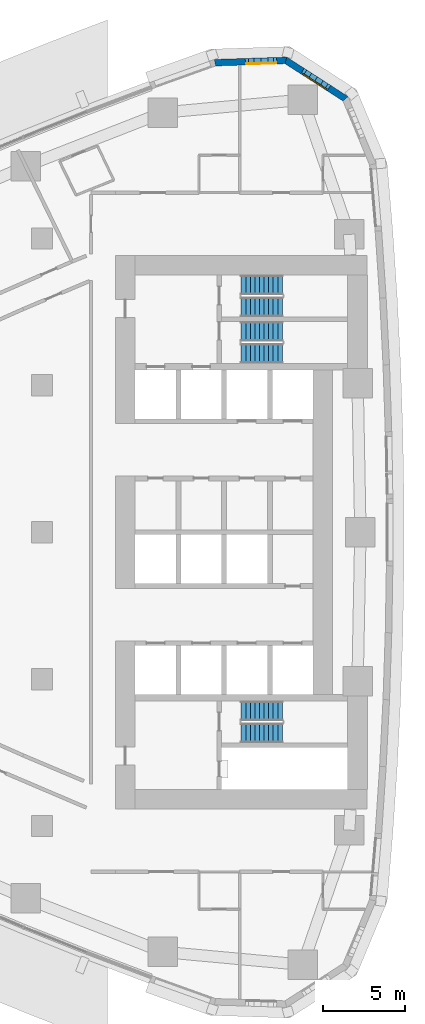
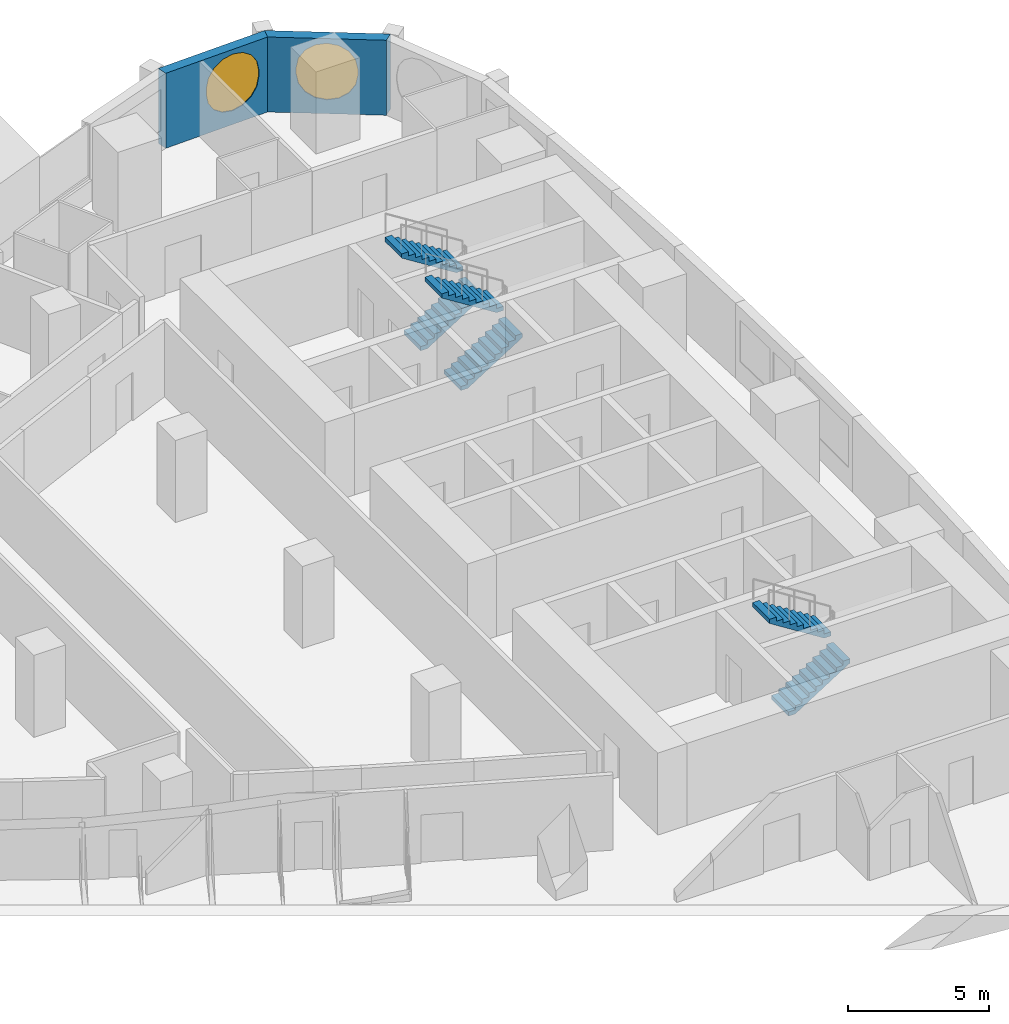
# One storey, part 14 of 19: 6 stair flights, 2 walls, 2 windows, 2 openings, 3 elements without a shape of their own.
"""IFC4 building model written with IfcOpenShell, lengths in metres."""

from ifc_helpers import new_model, si_unit, direction, frame, origin, place, context, subcontext, project, spatial, polyline, outline, extrude, material, layer, layer_set, type_object, element, fill, aggregate, save


model = new_model("IFC4")

# Units and contexts
model_context = context("Model", 3, precision=1e-05, world=origin(), true_north=direction((0.0, 1.0)))
body_context = subcontext(model_context, "Body", "Model", "MODEL_VIEW")
ifc_project = project(units=[si_unit("LENGTHUNIT", "METRE"), si_unit("AREAUNIT", "SQUARE_METRE"), si_unit("VOLUMEUNIT", "CUBIC_METRE"), si_unit("PLANEANGLEUNIT", "RADIAN"), si_unit("MASSUNIT", "GRAM", prefix="KILO")], contexts=[model_context])

# Site, building, storey
site_placement = place(None, origin())
site = spatial("IfcSite", under=ifc_project, at=site_placement, CompositionType="ELEMENT")
building_placement = place(site_placement, origin())
building = spatial("IfcBuilding", under=site, at=building_placement, Name="Ostrand Prow Hotel Tower", CompositionType="ELEMENT")
storey_placement = place(building_placement, frame((0.0, 0.0, 43.14990234375)))
storey = spatial("IfcBuildingStorey", under=building, at=storey_placement, Name="L08", CompositionType="ELEMENT", Elevation=43.14990234375)

# Wall, opening, window
ifc_material_1 = material(Name="Precast concrete C40/50", Category="concrete")
ifc_layer = layer(ifc_material_1, 0.39990234375)
ifc_layer_set = layer_set([ifc_layer], Name="Precast concrete C40/50")
wall_type = type_object("IfcWallType", Name="Stone-faced precast wall 400 mm", PredefinedType="NOTDEFINED", material=ifc_layer_set)
wall_1_placement = place(storey_placement, frame((63.58837890625, 26.55810546875, 0.0), z_axis=(0.0, 0.0, 1.0), x_axis=(-0.840937468718, 0.541132307025, 0.0)))
wall_1 = element("IfcWall", 1, at=wall_1_placement, inside=storey, type_object=wall_type, Name="Stone-faced wall back 17", PredefinedType="NOTDEFINED", context=body_context, shape_type="SweptSolid", body=[
    extrude(outline(polyline([(-0.0625, -0.199951171875), (4.40869140625, -0.199951171875), (4.28369140625, 0.199951171875), (0.0625, 0.199951171875), (-0.0625, -0.199951171875)])), origin(), (0.0, 0.0, 1.0), 3.25),
])
opening_1_placement = place(wall_1_placement, frame((1.072998046875, 0.0, 0.60009765625)))
opening_1 = element("IfcOpeningElement", 2, at=opening_1_placement, cuts=wall_1, Name="Opening WP1", PredefinedType="OPENING", context=body_context, shape_type="SweptSolid", body=[
    extrude(outline(polyline([(0.0, 1.35009765625), (0.083740234375, 1.77099609375), (0.322265625, 2.127685546875), (0.678955078125, 2.3662109375), (1.10009765625, 2.449951171875), (1.52099609375, 2.3662109375), (1.877685546875, 2.127685546875), (2.1162109375, 1.77099609375), (2.199951171875, 1.35009765625), (2.199951171875, 1.10009765625), (2.1162109375, 0.678955078125), (1.877685546875, 0.322265625), (1.52099609375, 0.083740234375), (1.10009765625, 0.0), (0.678955078125, 0.083740234375), (0.322265625, 0.322265625), (0.083740234375, 0.678955078125), (0.0, 1.099853515625), (0.0, 1.35009765625)])), frame((0.0, 0.2099609375, 0.0), z_axis=(0.0, -1.0, 0.0), x_axis=(1.0, 0.0, 0.0)), (0.0, 0.0, 1.0), 0.419921875),
])
ifc_material_2 = material(Name="Insulated glass in bronze frame", Category="glass")
window_type = type_object("IfcWindowType", Name="Round-ended prow window 2200x2450", PartitioningType="SINGLE_PANEL", PredefinedType="WINDOW", material=ifc_material_2)
window_1_placement = place(opening_1_placement, origin())
window_1 = element("IfcWindow", 3, at=window_1_placement, inside=storey, type_object=window_type, Name="Window back 17.1", OverallHeight=2.449951171875, OverallWidth=2.199951171875, PartitioningType="SINGLE_PANEL", PredefinedType="WINDOW", context=body_context, shape_type="SweptSolid", body=[
    extrude(outline(polyline([(0.0, 1.35009765625), (0.083740234375, 1.77099609375), (0.322265625, 2.127685546875), (0.678955078125, 2.3662109375), (1.10009765625, 2.449951171875), (1.52099609375, 2.3662109375), (1.877685546875, 2.127685546875), (2.1162109375, 1.77099609375), (2.199951171875, 1.35009765625), (2.199951171875, 1.10009765625), (2.1162109375, 0.678955078125), (1.877685546875, 0.322265625), (1.52099609375, 0.083740234375), (1.10009765625, 0.0), (0.678955078125, 0.083740234375), (0.322265625, 0.322265625), (0.083740234375, 0.678955078125), (0.0, 1.099853515625), (0.0, 1.35009765625)])), frame((0.0, 0.169921875, 0.0), z_axis=(0.0, -1.0, 0.0), x_axis=(1.0, 0.0, 0.0)), (0.0, 0.0, 1.0), 0.06005859375),
])
fill(opening_1, window_1)

wall_2_placement = place(storey_placement, frame((59.93359375, 28.909912109375, 0.0), z_axis=(0.0, 0.0, 1.0), x_axis=(-0.999463576228, -0.032749958686, 0.0)))
wall_2 = element("IfcWall", 4, at=wall_2_placement, inside=storey, type_object=wall_type, Name="Stone-faced wall back 18", PredefinedType="NOTDEFINED", context=body_context, shape_type="SweptSolid", body=[
    extrude(outline(polyline([(-0.0625, -0.199951171875), (4.377685546875, -0.199951171875), (4.314697265625, 0.199951171875), (0.0625, 0.199951171875), (-0.0625, -0.199951171875)])), origin(), (0.0, 0.0, 1.0), 3.25),
])
opening_2_placement = place(wall_2_placement, frame((0.421875, 0.0, 0.60009765625)))
opening_2 = element("IfcOpeningElement", 5, at=opening_2_placement, cuts=wall_2, Name="Opening WP1", PredefinedType="OPENING", context=body_context, shape_type="SweptSolid", body=[
    extrude(outline(polyline([(0.0, 1.35009765625), (0.083740234375, 1.77099609375), (0.322265625, 2.127685546875), (0.678955078125, 2.3662109375), (1.10009765625, 2.449951171875), (1.52099609375, 2.3662109375), (1.877685546875, 2.127685546875), (2.1162109375, 1.77099609375), (2.199951171875, 1.35009765625), (2.199951171875, 1.10009765625), (2.1162109375, 0.678955078125), (1.877685546875, 0.322265625), (1.52099609375, 0.083740234375), (1.10009765625, 0.0), (0.678955078125, 0.083740234375), (0.322265625, 0.322265625), (0.083740234375, 0.678955078125), (0.0, 1.099853515625), (0.0, 1.35009765625)])), frame((0.0, 0.2099609375, 0.0), z_axis=(0.0, -1.0, 0.0), x_axis=(1.0, 0.0, 0.0)), (0.0, 0.0, 1.0), 0.419921875),
])
window_2_placement = place(opening_2_placement, origin())
window_2 = element("IfcWindow", 6, at=window_2_placement, inside=storey, type_object=window_type, Name="Window back 18.1", OverallHeight=2.449951171875, OverallWidth=2.199951171875, PartitioningType="SINGLE_PANEL", PredefinedType="WINDOW", context=body_context, shape_type="SweptSolid", body=[
    extrude(outline(polyline([(0.0, 1.35009765625), (0.083740234375, 1.77099609375), (0.322265625, 2.127685546875), (0.678955078125, 2.3662109375), (1.10009765625, 2.449951171875), (1.52099609375, 2.3662109375), (1.877685546875, 2.127685546875), (2.1162109375, 1.77099609375), (2.199951171875, 1.35009765625), (2.199951171875, 1.10009765625), (2.1162109375, 0.678955078125), (1.877685546875, 0.322265625), (1.52099609375, 0.083740234375), (1.10009765625, 0.0), (0.678955078125, 0.083740234375), (0.322265625, 0.322265625), (0.083740234375, 0.678955078125), (0.0, 1.099853515625), (0.0, 1.35009765625)])), frame((0.0, 0.169921875, 0.0), z_axis=(0.0, -1.0, 0.0), x_axis=(1.0, 0.0, 0.0)), (0.0, 0.0, 1.0), 0.06005859375),
])
fill(opening_2, window_2)

# Stair, stair flights
ifc_material_3 = material(Name="Concrete C40/50", Category="concrete")
stair_type = type_object("IfcStairType", Name="Exit stair 1200 upper zone", PredefinedType="HALF_TURN_STAIR", material=ifc_material_3)
stair_1_placement = place(storey_placement, origin())
stair_1 = element("IfcStair", 7, at=stair_1_placement, inside=storey, type_object=stair_type, Name="L08 ST1C", PredefinedType="HALF_TURN_STAIR")
ifc_material_4 = material(Name="Concrete C40/50", Category="concrete")
stair_flight_type = type_object("IfcStairFlightType", Name="Stair flight 1200 concrete", PredefinedType="STRAIGHT", material=ifc_material_4)
stair_flight_1_placement = place(storey_placement, frame((57.199951171875, 10.949951171875, 0.0), z_axis=(0.0, 0.0, 1.0), x_axis=(1.0, 0.0, 0.0)))
stair_flight_1 = element("IfcStairFlight", 8, at=stair_flight_1_placement, type_object=stair_flight_type, Name="ST1C flight 1", NumberOfRisers=10, NumberOfTreads=9, PredefinedType="STRAIGHT", RiserHeight=0.1775, TreadLength=0.28, context=body_context, shape_type="SweptSolid", body=[
    extrude(outline(polyline([(0.0, 0.0), (0.0, 0.177490234375), (0.280029296875, 0.177490234375), (0.280029296875, 0.35498046875), (0.56005859375, 0.35498046875), (0.56005859375, 0.532470703125), (0.840087890625, 0.532470703125), (0.840087890625, 0.7099609375), (1.1201171875, 0.7099609375), (1.1201171875, 0.887451171875), (1.39990234375, 0.887451171875), (1.39990234375, 1.06494140625), (1.679931640625, 1.06494140625), (1.679931640625, 1.242431640625), (1.9599609375, 1.242431640625), (1.9599609375, 1.419921875), (2.239990234375, 1.419921875), (2.239990234375, 1.597412109375), (2.52001953125, 1.597412109375), (2.52001953125, 1.77490234375), (2.52001953125, 1.419921875), (0.280029296875, 0.0), (0.0, 0.0)])), frame((0.0, 0.60009765625, 0.0), z_axis=(0.0, -1.0, 0.0), x_axis=(1.0, 0.0, 0.0)), (0.0, 0.0, 1.0), 1.199951171875),
])
stair_flight_2_placement = place(storey_placement, frame((59.719970703125, 12.300048828125, 1.775146484375), z_axis=(0.0, 0.0, 1.0), x_axis=(-1.0, 0.0, 0.0)))
stair_flight_2 = element("IfcStairFlight", 9, at=stair_flight_2_placement, type_object=stair_flight_type, Name="ST1C flight 2", NumberOfRisers=10, NumberOfTreads=9, PredefinedType="STRAIGHT", RiserHeight=0.1775, TreadLength=0.28, context=body_context, shape_type="SweptSolid", body=[
    extrude(outline(polyline([(0.0, 0.0), (0.0, 0.177490234375), (0.280029296875, 0.177490234375), (0.280029296875, 0.35498046875), (0.56005859375, 0.35498046875), (0.56005859375, 0.532470703125), (0.840087890625, 0.532470703125), (0.840087890625, 0.7099609375), (1.1201171875, 0.7099609375), (1.1201171875, 0.887451171875), (1.39990234375, 0.887451171875), (1.39990234375, 1.06494140625), (1.679931640625, 1.06494140625), (1.679931640625, 1.242431640625), (1.9599609375, 1.242431640625), (1.9599609375, 1.419921875), (2.239990234375, 1.419921875), (2.239990234375, 1.597412109375), (2.52001953125, 1.597412109375), (2.52001953125, 1.77490234375), (2.52001953125, 1.419921875), (0.280029296875, 0.0), (0.0, 0.0)])), frame((0.0, 0.60009765625, 0.0), z_axis=(0.0, -1.0, 0.0), x_axis=(1.0, 0.0, 0.0)), (0.0, 0.0, 1.0), 1.199951171875),
])
aggregate(stair_1, [stair_flight_1, stair_flight_2])

stair_2_placement = place(storey_placement, origin())
stair_2 = element("IfcStair", 10, at=stair_2_placement, inside=storey, type_object=stair_type, Name="L08 ST3C", PredefinedType="HALF_TURN_STAIR")
stair_flight_3_placement = place(storey_placement, frame((57.199951171875, 13.800048828125, 0.0), z_axis=(0.0, 0.0, 1.0), x_axis=(1.0, 0.0, 0.0)))
stair_flight_3 = element("IfcStairFlight", 11, at=stair_flight_3_placement, type_object=stair_flight_type, Name="ST3C flight 1", NumberOfRisers=10, NumberOfTreads=9, PredefinedType="STRAIGHT", RiserHeight=0.1775, TreadLength=0.28, context=body_context, shape_type="SweptSolid", body=[
    extrude(outline(polyline([(0.0, 0.0), (0.0, 0.177490234375), (0.280029296875, 0.177490234375), (0.280029296875, 0.35498046875), (0.56005859375, 0.35498046875), (0.56005859375, 0.532470703125), (0.840087890625, 0.532470703125), (0.840087890625, 0.7099609375), (1.1201171875, 0.7099609375), (1.1201171875, 0.887451171875), (1.39990234375, 0.887451171875), (1.39990234375, 1.06494140625), (1.679931640625, 1.06494140625), (1.679931640625, 1.242431640625), (1.9599609375, 1.242431640625), (1.9599609375, 1.419921875), (2.239990234375, 1.419921875), (2.239990234375, 1.597412109375), (2.52001953125, 1.597412109375), (2.52001953125, 1.77490234375), (2.52001953125, 1.419921875), (0.280029296875, 0.0), (0.0, 0.0)])), frame((0.0, 0.60009765625, 0.0), z_axis=(0.0, -1.0, 0.0), x_axis=(1.0, 0.0, 0.0)), (0.0, 0.0, 1.0), 1.199951171875),
])
stair_flight_4_placement = place(storey_placement, frame((59.719970703125, 15.14990234375, 1.775146484375), z_axis=(0.0, 0.0, 1.0), x_axis=(-1.0, 0.0, 0.0)))
stair_flight_4 = element("IfcStairFlight", 12, at=stair_flight_4_placement, type_object=stair_flight_type, Name="ST3C flight 2", NumberOfRisers=10, NumberOfTreads=9, PredefinedType="STRAIGHT", RiserHeight=0.1775, TreadLength=0.28, context=body_context, shape_type="SweptSolid", body=[
    extrude(outline(polyline([(0.0, 0.0), (0.0, 0.177490234375), (0.280029296875, 0.177490234375), (0.280029296875, 0.35498046875), (0.56005859375, 0.35498046875), (0.56005859375, 0.532470703125), (0.840087890625, 0.532470703125), (0.840087890625, 0.7099609375), (1.1201171875, 0.7099609375), (1.1201171875, 0.887451171875), (1.39990234375, 0.887451171875), (1.39990234375, 1.06494140625), (1.679931640625, 1.06494140625), (1.679931640625, 1.242431640625), (1.9599609375, 1.242431640625), (1.9599609375, 1.419921875), (2.239990234375, 1.419921875), (2.239990234375, 1.597412109375), (2.52001953125, 1.597412109375), (2.52001953125, 1.77490234375), (2.52001953125, 1.419921875), (0.280029296875, 0.0), (0.0, 0.0)])), frame((0.0, 0.60009765625, 0.0), z_axis=(0.0, -1.0, 0.0), x_axis=(1.0, 0.0, 0.0)), (0.0, 0.0, 1.0), 1.199951171875),
])
aggregate(stair_2, [stair_flight_3, stair_flight_4])

stair_3_placement = place(storey_placement, origin())
stair_3 = element("IfcStair", 13, at=stair_3_placement, inside=storey, type_object=stair_type, Name="L08 ST2C", PredefinedType="HALF_TURN_STAIR")
stair_flight_5_placement = place(storey_placement, frame((57.199951171875, -12.300048828125, 0.0), z_axis=(0.0, 0.0, 1.0), x_axis=(1.0, 0.0, 0.0)))
stair_flight_5 = element("IfcStairFlight", 14, at=stair_flight_5_placement, type_object=stair_flight_type, Name="ST2C flight 1", NumberOfRisers=10, NumberOfTreads=9, PredefinedType="STRAIGHT", RiserHeight=0.1775, TreadLength=0.28, context=body_context, shape_type="SweptSolid", body=[
    extrude(outline(polyline([(0.0, 0.0), (0.0, 0.177490234375), (0.280029296875, 0.177490234375), (0.280029296875, 0.35498046875), (0.56005859375, 0.35498046875), (0.56005859375, 0.532470703125), (0.840087890625, 0.532470703125), (0.840087890625, 0.7099609375), (1.1201171875, 0.7099609375), (1.1201171875, 0.887451171875), (1.39990234375, 0.887451171875), (1.39990234375, 1.06494140625), (1.679931640625, 1.06494140625), (1.679931640625, 1.242431640625), (1.9599609375, 1.242431640625), (1.9599609375, 1.419921875), (2.239990234375, 1.419921875), (2.239990234375, 1.597412109375), (2.52001953125, 1.597412109375), (2.52001953125, 1.77490234375), (2.52001953125, 1.419921875), (0.280029296875, 0.0), (0.0, 0.0)])), frame((0.0, 0.60009765625, 0.0), z_axis=(0.0, -1.0, 0.0), x_axis=(1.0, 0.0, 0.0)), (0.0, 0.0, 1.0), 1.199951171875),
])
stair_flight_6_placement = place(storey_placement, frame((59.719970703125, -10.949951171875, 1.775146484375), z_axis=(0.0, 0.0, 1.0), x_axis=(-1.0, 0.0, 0.0)))
stair_flight_6 = element("IfcStairFlight", 15, at=stair_flight_6_placement, type_object=stair_flight_type, Name="ST2C flight 2", NumberOfRisers=10, NumberOfTreads=9, PredefinedType="STRAIGHT", RiserHeight=0.1775, TreadLength=0.28, context=body_context, shape_type="SweptSolid", body=[
    extrude(outline(polyline([(0.0, 0.0), (0.0, 0.177490234375), (0.280029296875, 0.177490234375), (0.280029296875, 0.35498046875), (0.56005859375, 0.35498046875), (0.56005859375, 0.532470703125), (0.840087890625, 0.532470703125), (0.840087890625, 0.7099609375), (1.1201171875, 0.7099609375), (1.1201171875, 0.887451171875), (1.39990234375, 0.887451171875), (1.39990234375, 1.06494140625), (1.679931640625, 1.06494140625), (1.679931640625, 1.242431640625), (1.9599609375, 1.242431640625), (1.9599609375, 1.419921875), (2.239990234375, 1.419921875), (2.239990234375, 1.597412109375), (2.52001953125, 1.597412109375), (2.52001953125, 1.77490234375), (2.52001953125, 1.419921875), (0.280029296875, 0.0), (0.0, 0.0)])), frame((0.0, 0.60009765625, 0.0), z_axis=(0.0, -1.0, 0.0), x_axis=(1.0, 0.0, 0.0)), (0.0, 0.0, 1.0), 1.199951171875),
])
aggregate(stair_3, [stair_flight_5, stair_flight_6])

save(model, "model.ifc")
